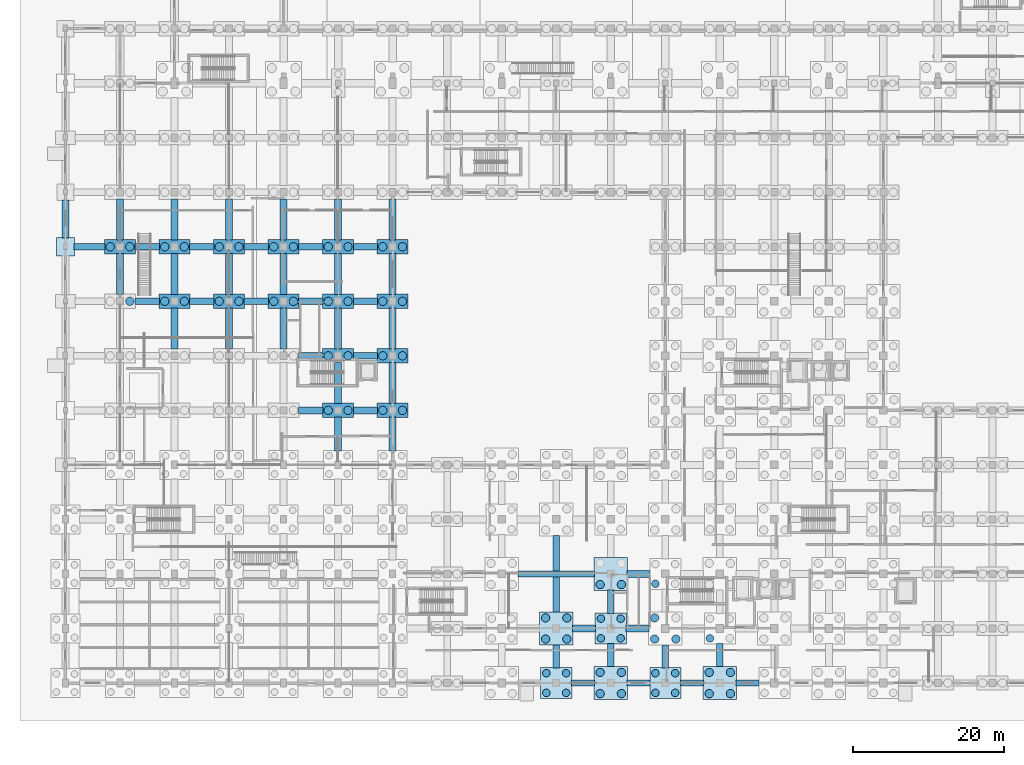
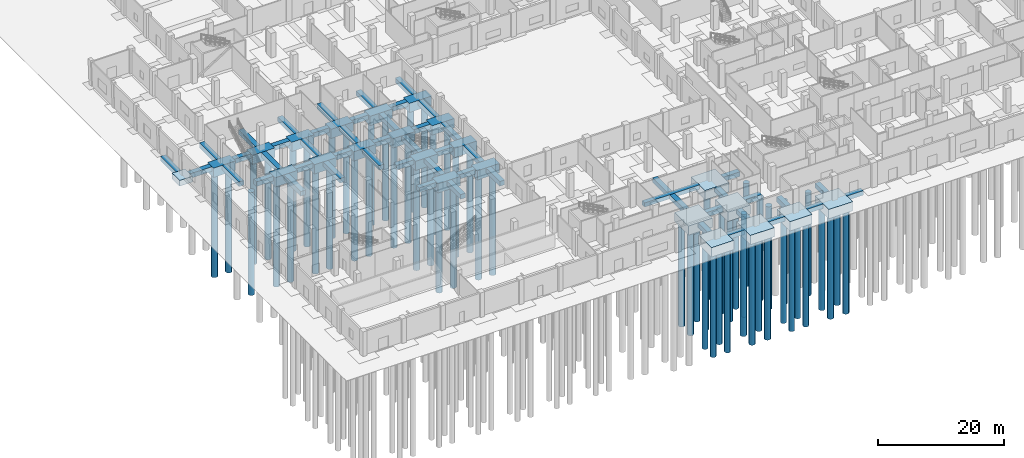
# One storey, part 3 of 48: 74 footings, 62 piles.
"""IFC4 building model written with IfcOpenShell, lengths in metres."""

import ifcopenshell
import ifcopenshell.guid

model = None  # the IFC model being written
_history = None  # IfcOwnerHistory: only IFC2X3 demands one
_inside = {}  # id of a spatial element -> (the spatial element, [elements in it])
_under = {}  # id of a project, library or spatial element -> (it, [spatial elements below it])
_declared = {}  # id of a project -> (the project, [libraries it declares])
_typed = {}  # id of a type object -> (the type object, [elements of that type])
_made_of = {}  # id of a material, layer set ... -> (it, [elements and type objects made of it])


def new_model(schema):
    """Start an empty IFC model of exactly this schema.

    Asked for "IFC4X3", IfcOpenShell would pick the latest addendum, in which some entities
    have other attributes; the version numbers below select the first issue.
    IFC2X3 requires an IfcOwnerHistory on every rooted entity: one is made here for all.
    """
    global model, _history
    if schema == "IFC4X3":
        model = ifcopenshell.file(schema_version=(4, 3, 0, 0))
    else:
        model = ifcopenshell.file(schema=schema)
    _inside.clear()
    _under.clear()
    _declared.clear()
    _typed.clear()
    _made_of.clear()
    _history = None
    if model.schema == "IFC2X3":
        org = make("IfcOrganization", Name="unknown")
        user = make(
            "IfcPersonAndOrganization",
            ThePerson=make("IfcPerson", FamilyName="unknown"),
            TheOrganization=org,
        )
        app = make(
            "IfcApplication",
            ApplicationDeveloper=org,
            Version="unknown",
            ApplicationFullName="unknown",
            ApplicationIdentifier="unknown",
        )
        _history = make(
            "IfcOwnerHistory",
            OwningUser=user,
            OwningApplication=app,
            ChangeAction="ADDED",
            CreationDate=0,
        )
    return model


def make(cls, **values):
    """One entity of the class cls with the attributes given. An attribute that is None is left unset."""
    return model.create_entity(
        cls, **{name: value for name, value in values.items() if value is not None}
    )


def rooted(cls, **values):
    """An entity with a GlobalId (a new one), such as an element, a storey or a relation."""
    return make(cls, GlobalId=ifcopenshell.guid.new(), OwnerHistory=_history, **values)


def si_unit(unit_type, name, prefix=None):
    """IfcSIUnit, for example si_unit("LENGTHUNIT", "METRE", prefix="MILLI")."""
    return make("IfcSIUnit", UnitType=unit_type, Prefix=prefix, Name=name)


def assignment(units):
    """IfcUnitAssignment: the units of a project."""
    return None if units is None else make("IfcUnitAssignment", Units=units)


def point(xyz):
    """IfcCartesianPoint."""
    return None if xyz is None else make("IfcCartesianPoint", Coordinates=xyz)


def direction(xyz):
    """IfcDirection."""
    return None if xyz is None else make("IfcDirection", DirectionRatios=xyz)


def frame(location, z_axis=None, x_axis=None):
    """IfcAxis2Placement3D, a coordinate frame: its origin and axes. An axis left out is left unset."""
    return make(
        "IfcAxis2Placement3D",
        Location=point(location),
        Axis=direction(z_axis),
        RefDirection=direction(x_axis),
    )


def frame_2d(location, x_axis=None):
    """IfcAxis2Placement2D, a coordinate frame in the plane: its origin and x axis."""
    return make(
        "IfcAxis2Placement2D", Location=point(location), RefDirection=direction(x_axis)
    )


def origin():
    """The frame at (0, 0, 0) with its axes left unset."""
    return frame((0.0, 0.0, 0.0))


def origin_2d():
    """The frame at (0, 0) in the plane with its x axis left unset."""
    return frame_2d((0.0, 0.0))


def place(relative_to, where):
    """IfcLocalPlacement: puts the frame where relative to a parent placement (None: the world)."""
    return make(
        "IfcLocalPlacement", PlacementRelTo=relative_to, RelativePlacement=where
    )


def context(
    kind, dimensions, precision=None, world=None, true_north=None, identifier=None
):
    """IfcGeometricRepresentationContext, for example the 3D "Model" context."""
    return make(
        "IfcGeometricRepresentationContext",
        ContextIdentifier=identifier,
        ContextType=kind,
        CoordinateSpaceDimension=dimensions,
        Precision=precision,
        WorldCoordinateSystem=world,
        TrueNorth=true_north,
    )


def subcontext(parent, identifier, kind, view, scale=None):
    """IfcGeometricRepresentationSubContext, for example "Body" below "Model"."""
    return make(
        "IfcGeometricRepresentationSubContext",
        ContextIdentifier=identifier,
        ContextType=kind,
        ParentContext=parent,
        TargetScale=scale,
        TargetView=view,
    )


def project(units=None, contexts=None):
    """IfcProject with its units and contexts."""
    return rooted(
        "IfcProject",
        Name="project",
        RepresentationContexts=contexts,
        UnitsInContext=assignment(units),
    )


def spatial(cls, under=None, at=None, **own):
    """A site, building, storey or space (cls), placed at a placement, below another one or the project."""
    s = rooted(cls, ObjectPlacement=at, **own)
    if under is not None:
        _under.setdefault(under.id(), (under, []))[1].append(s)
    return s


def profile(cls, at=None, kind="AREA", **sizes):
    """A parametric profile (cls). Its sizes go by their IFC names, for example OverallWidth=200.0."""
    return make(cls, ProfileType=kind, Position=at, **sizes)


def rectangle(**sizes):
    """IfcRectangleProfileDef."""
    return profile("IfcRectangleProfileDef", **sizes)


def circle(**sizes):
    """IfcCircleProfileDef."""
    return profile("IfcCircleProfileDef", **sizes)


def extrude(swept, where, along, depth):
    """IfcExtrudedAreaSolid: the profile swept, set in the frame where, extruded along a direction by depth."""
    return make(
        "IfcExtrudedAreaSolid",
        SweptArea=swept,
        Position=where,
        ExtrudedDirection=direction(along),
        Depth=depth,
    )


def shape(context_of_items, identifier, shape_type, items):
    """IfcShapeRepresentation: the items that make up one representation, for example the "Body"."""
    return make(
        "IfcShapeRepresentation",
        ContextOfItems=context_of_items,
        RepresentationIdentifier=identifier,
        RepresentationType=shape_type,
        Items=items,
    )


def material(Name=None, Category=None):
    """IfcMaterial."""
    return make("IfcMaterial", Name=Name, Category=Category)


def material_profile(
    of_material, cross_section, Name=None, Category=None, Priority=None
):
    """IfcMaterialProfile: a cross section and its material."""
    return make(
        "IfcMaterialProfile",
        Name=Name,
        Material=of_material,
        Profile=cross_section,
        Priority=Priority,
        Category=Category,
    )


def profile_set(profiles, Name=None, composite=None):
    """IfcMaterialProfileSet."""
    return make(
        "IfcMaterialProfileSet",
        Name=Name,
        MaterialProfiles=profiles,
        CompositeProfile=composite,
    )


def made_of(thing, what):
    """Note that an element or type object is made of a material, layer set ...; save() writes the relation."""
    if what is not None:
        _made_of.setdefault(what.id(), (what, []))[1].append(thing)
    return thing


def type_object(cls, material=None, **own):
    """A type object (cls), such as IfcWallType, which elements share."""
    return made_of(rooted(cls, **own), material)


def element(
    cls,
    number,
    at=None,
    inside=None,
    cuts=None,
    type_object=None,
    material=None,
    context=None,
    identifier="Body",
    shape_type=None,
    held_by="IfcProductDefinitionShape",
    body=None,
    shapes=None,
    **own,
):
    """One element of the class cls, such as IfcWall. Its Tag is "e" and its number.

    at: its placement. inside: the storey or other place that contains it. cuts: it is an
    opening in that element (IfcRelVoidsElement). A single representation is given by context,
    identifier, shape_type and body (its items); several are given by shapes. held_by: the class
    of the entity that holds the representations. save() writes the other relations.
    """
    e = rooted(cls, Tag="e%d" % number, ObjectPlacement=at, **own)
    if body is not None:
        shapes = [shape(context, identifier, shape_type, body)]
    if shapes is not None:
        e.Representation = make(held_by, Representations=shapes)
    if inside is not None:
        _inside.setdefault(inside.id(), (inside, []))[1].append(e)
    if cuts is not None:
        rooted(
            "IfcRelVoidsElement", RelatingBuildingElement=cuts, RelatedOpeningElement=e
        )
    if type_object is not None:
        _typed.setdefault(type_object.id(), (type_object, []))[1].append(e)
    return made_of(e, material)


def aggregate(whole, parts):
    """IfcRelAggregates: a whole, such as a stair, and the parts it consists of."""
    return rooted("IfcRelAggregates", RelatingObject=whole, RelatedObjects=parts)


def save(model, path):
    """Write the relations noted so far, then the file.

    IfcRelAggregates (storeys below a building ...), IfcRelContainedInSpatialStructure (elements
    in a storey), IfcRelDefinesByType, IfcRelAssociatesMaterial and IfcRelDeclares: one each for
    every whole, place, type object, material and project.
    """
    for whole, parts in _under.values():
        aggregate(whole, parts)
    for where, things in _inside.values():
        rooted(
            "IfcRelContainedInSpatialStructure",
            RelatedElements=things,
            RelatingStructure=where,
        )
    for kind, things in _typed.values():
        rooted("IfcRelDefinesByType", RelatedObjects=things, RelatingType=kind)
    for what, things in _made_of.values():
        rooted("IfcRelAssociatesMaterial", RelatedObjects=things, RelatingMaterial=what)
    for by, libraries in _declared.values():
        rooted("IfcRelDeclares", RelatingContext=by, RelatedDefinitions=libraries)
    model.write(path)


model = new_model("IFC4")

# Units and contexts
model_context = context("Model", 3, precision=1e-05, world=origin(), true_north=direction((0.0, 1.0)))
body_context = subcontext(model_context, "Body", "Model", "MODEL_VIEW")
ifc_project = project(units=[si_unit("LENGTHUNIT", "METRE"), si_unit("AREAUNIT", "SQUARE_METRE"), si_unit("VOLUMEUNIT", "CUBIC_METRE"), si_unit("PLANEANGLEUNIT", "RADIAN"), si_unit("MASSUNIT", "GRAM", prefix="KILO")], contexts=[model_context])

# Site, building, storey
site_placement = place(None, origin())
site = spatial("IfcSite", under=ifc_project, at=site_placement, CompositionType="ELEMENT")
building_placement = place(site_placement, origin())
building = spatial("IfcBuilding", under=site, at=building_placement, Name="Seraya Terrace Polytechnic", CompositionType="ELEMENT")
storey_placement = place(building_placement, origin())
storey = spatial("IfcBuildingStorey", under=building, at=storey_placement, Name="L00", CompositionType="ELEMENT", Elevation=0.0)

# Piles
ifc_material = material(Name="Concrete C40/50", Category="concrete")
ifc_material_profile_1 = material_profile(ifc_material, circle(Radius=0.5, at=origin_2d()), Name="DIA 1000")
ifc_profile_set_1 = profile_set([ifc_material_profile_1], Name="Concrete C40/50")
pile_type_1 = type_object("IfcPileType", Name="BP-03", PredefinedType="BORED", material=ifc_profile_set_1)
for number, where, z_axis, x_axis, name in (
    (1, (63.5, -1.300048828125, -1.699951171875), (0.0, 0.0, -1.0), (1.0, 0.0, 0.0), "Bored pile BP-03 0648_0000-1"),
    (2, (66.10009765625, -1.300048828125, -1.699951171875), (0.0, 0.0, -1.0), (1.0, 0.0, 0.0), "Bored pile BP-03 0648_0000-2"),
    (3, (63.5, 1.300048828125, -1.699951171875), (0.0, 0.0, -1.0), (1.0, 0.0, 0.0), "Bored pile BP-03 0648_0000-3"),
    (4, (66.10009765625, 1.300048828125, -1.699951171875), (0.0, 0.0, -1.0), (1.0, 0.0, 0.0), "Bored pile BP-03 0648_0000-4"),
    (5, (70.699951171875, 5.89990234375, -1.699951171875), (0.0, 0.0, -1.0), (1.0, 0.0, 0.0), "Bored pile BP-03 0720_0072-1"),
    (6, (73.300048828125, 5.89990234375, -1.699951171875), (0.0, 0.0, -1.0), (1.0, 0.0, 0.0), "Bored pile BP-03 0720_0072-2"),
    (7, (70.699951171875, 8.5, -1.699951171875), (0.0, 0.0, -1.0), (1.0, 0.0, 0.0), "Bored pile BP-03 0720_0072-3"),
    (8, (73.300048828125, 8.5, -1.699951171875), (0.0, 0.0, -1.0), (1.0, 0.0, 0.0), "Bored pile BP-03 0720_0072-4"),
    (9, (77.89990234375, -1.300048828125, -1.699951171875), (0.0, 0.0, -1.0), (1.0, 0.0, 0.0), "Bored pile BP-03 0792_0000-1"),
    (10, (80.5, -1.300048828125, -1.699951171875), (0.0, 0.0, -1.0), (1.0, 0.0, 0.0), "Bored pile BP-03 0792_0000-2"),
    (11, (77.89990234375, 1.300048828125, -1.699951171875), (0.0, 0.0, -1.0), (1.0, 0.0, 0.0), "Bored pile BP-03 0792_0000-3"),
    (12, (80.5, 1.300048828125, -1.699951171875), (0.0, 0.0, -1.0), (1.0, 0.0, 0.0), "Bored pile BP-03 0792_0000-4"),
    (13, (77.89990234375, 13.10009765625, -1.699951171875), (0.0, 0.0, -1.0), (1.0, 0.0, 0.0), "Bored pile BP-03 0792_0144-1"),
    (14, (85.10009765625, 5.89990234375, -1.699951171875), (0.0, 0.0, -1.0), (1.0, 0.0, 0.0), "Bored pile BP-03 0864_0072-1"),
):
    element("IfcPile", number, at=place(storey_placement, frame(where, z_axis=z_axis, x_axis=x_axis)), inside=storey, type_object=pile_type_1, Name=name, PredefinedType="BORED", context=body_context, shape_type="SweptSolid", body=[
        extrude(circle(Radius=0.5, at=origin_2d()), origin(), (0.0, 0.0, 1.0), 20.0),
    ])
ifc_material_profile_2 = material_profile(ifc_material, circle(Radius=0.550048828125, at=origin_2d()), Name="DIA 1100")
ifc_profile_set_2 = profile_set([ifc_material_profile_2], Name="Concrete C40/50")
pile_type_2 = type_object("IfcPileType", Name="BP-04", PredefinedType="BORED", material=ifc_profile_set_2)
for number, where, z_axis, x_axis, name in (
    (15, (8.5, 50.39990234375, -1.699951171875), (0.0, 0.0, -1.0), (1.0, 0.0, 0.0), "Bored pile BP-04 0072_0504-2"),
    (16, (5.89990234375, 57.60009765625, -1.699951171875), (0.0, 0.0, -1.0), (1.0, 0.0, 0.0), "Bored pile BP-04 0072_0576-1"),
    (17, (8.5, 57.60009765625, -1.699951171875), (0.0, 0.0, -1.0), (1.0, 0.0, 0.0), "Bored pile BP-04 0072_0576-2"),
    (18, (13.10009765625, 50.39990234375, -1.699951171875), (0.0, 0.0, -1.0), (1.0, 0.0, 0.0), "Bored pile BP-04 0144_0504-1"),
    (19, (15.699951171875, 50.39990234375, -1.699951171875), (0.0, 0.0, -1.0), (1.0, 0.0, 0.0), "Bored pile BP-04 0144_0504-2"),
    (20, (13.10009765625, 57.60009765625, -1.699951171875), (0.0, 0.0, -1.0), (1.0, 0.0, 0.0), "Bored pile BP-04 0144_0576-1"),
    (21, (15.699951171875, 57.60009765625, -1.699951171875), (0.0, 0.0, -1.0), (1.0, 0.0, 0.0), "Bored pile BP-04 0144_0576-2"),
    (22, (20.300048828125, 50.39990234375, -1.699951171875), (0.0, 0.0, -1.0), (1.0, 0.0, 0.0), "Bored pile BP-04 0216_0504-1"),
    (23, (22.89990234375, 50.39990234375, -1.699951171875), (0.0, 0.0, -1.0), (1.0, 0.0, 0.0), "Bored pile BP-04 0216_0504-2"),
    (24, (20.300048828125, 57.60009765625, -1.699951171875), (0.0, 0.0, -1.0), (1.0, 0.0, 0.0), "Bored pile BP-04 0216_0576-1"),
    (25, (22.89990234375, 57.60009765625, -1.699951171875), (0.0, 0.0, -1.0), (1.0, 0.0, 0.0), "Bored pile BP-04 0216_0576-2"),
    (26, (27.5, 50.39990234375, -1.699951171875), (0.0, 0.0, -1.0), (1.0, 0.0, 0.0), "Bored pile BP-04 0288_0504-1"),
    (27, (30.10009765625, 50.39990234375, -1.699951171875), (0.0, 0.0, -1.0), (1.0, 0.0, 0.0), "Bored pile BP-04 0288_0504-2"),
    (28, (27.5, 57.60009765625, -1.699951171875), (0.0, 0.0, -1.0), (1.0, 0.0, 0.0), "Bored pile BP-04 0288_0576-1"),
    (29, (30.10009765625, 57.60009765625, -1.699951171875), (0.0, 0.0, -1.0), (1.0, 0.0, 0.0), "Bored pile BP-04 0288_0576-2"),
    (30, (34.699951171875, 36.0, -1.699951171875), (0.0, 0.0, -1.0), (1.0, 0.0, 0.0), "Bored pile BP-04 0360_0360-1"),
    (31, (37.300048828125, 36.0, -1.699951171875), (0.0, 0.0, -1.0), (1.0, 0.0, 0.0), "Bored pile BP-04 0360_0360-2"),
    (32, (34.699951171875, 43.199951171875, -1.699951171875), (0.0, 0.0, -1.0), (1.0, 0.0, 0.0), "Bored pile BP-04 0360_0432-1"),
    (33, (37.300048828125, 43.199951171875, -1.699951171875), (0.0, 0.0, -1.0), (1.0, 0.0, 0.0), "Bored pile BP-04 0360_0432-2"),
    (34, (34.699951171875, 50.39990234375, -1.699951171875), (0.0, 0.0, -1.0), (1.0, 0.0, 0.0), "Bored pile BP-04 0360_0504-1"),
    (35, (37.300048828125, 50.39990234375, -1.699951171875), (0.0, 0.0, -1.0), (1.0, 0.0, 0.0), "Bored pile BP-04 0360_0504-2"),
    (36, (34.699951171875, 57.60009765625, -1.699951171875), (0.0, 0.0, -1.0), (1.0, 0.0, 0.0), "Bored pile BP-04 0360_0576-1"),
    (37, (37.300048828125, 57.60009765625, -1.699951171875), (0.0, 0.0, -1.0), (1.0, 0.0, 0.0), "Bored pile BP-04 0360_0576-2"),
    (38, (41.89990234375, 36.0, -1.699951171875), (0.0, 0.0, -1.0), (1.0, 0.0, 0.0), "Bored pile BP-04 0432_0360-1"),
    (39, (44.5, 36.0, -1.699951171875), (0.0, 0.0, -1.0), (1.0, 0.0, 0.0), "Bored pile BP-04 0432_0360-2"),
    (40, (41.89990234375, 43.199951171875, -1.699951171875), (0.0, 0.0, -1.0), (1.0, 0.0, 0.0), "Bored pile BP-04 0432_0432-1"),
    (41, (44.5, 43.199951171875, -1.699951171875), (0.0, 0.0, -1.0), (1.0, 0.0, 0.0), "Bored pile BP-04 0432_0432-2"),
    (42, (41.89990234375, 50.39990234375, -1.699951171875), (0.0, 0.0, -1.0), (1.0, 0.0, 0.0), "Bored pile BP-04 0432_0504-1"),
    (43, (44.5, 50.39990234375, -1.699951171875), (0.0, 0.0, -1.0), (1.0, 0.0, 0.0), "Bored pile BP-04 0432_0504-2"),
    (44, (41.89990234375, 57.60009765625, -1.699951171875), (0.0, 0.0, -1.0), (1.0, 0.0, 0.0), "Bored pile BP-04 0432_0576-1"),
    (45, (44.5, 57.60009765625, -1.699951171875), (0.0, 0.0, -1.0), (1.0, 0.0, 0.0), "Bored pile BP-04 0432_0576-2"),
    (46, (63.39990234375, 5.800048828125, -1.699951171875), (0.0, 0.0, -1.0), (1.0, 0.0, 0.0), "Bored pile BP-04 0648_0072-1"),
    (47, (66.199951171875, 5.800048828125, -1.699951171875), (0.0, 0.0, -1.0), (1.0, 0.0, 0.0), "Bored pile BP-04 0648_0072-2"),
    (48, (63.39990234375, 8.60009765625, -1.699951171875), (0.0, 0.0, -1.0), (1.0, 0.0, 0.0), "Bored pile BP-04 0648_0072-3"),
    (49, (66.199951171875, 8.60009765625, -1.699951171875), (0.0, 0.0, -1.0), (1.0, 0.0, 0.0), "Bored pile BP-04 0648_0072-4"),
    (50, (70.60009765625, -1.39990234375, -1.699951171875), (0.0, 0.0, -1.0), (1.0, 0.0, 0.0), "Bored pile BP-04 0720_0000-1"),
    (51, (73.39990234375, -1.39990234375, -1.699951171875), (0.0, 0.0, -1.0), (1.0, 0.0, 0.0), "Bored pile BP-04 0720_0000-2"),
    (52, (70.60009765625, 1.39990234375, -1.699951171875), (0.0, 0.0, -1.0), (1.0, 0.0, 0.0), "Bored pile BP-04 0720_0000-3"),
    (53, (73.39990234375, 1.39990234375, -1.699951171875), (0.0, 0.0, -1.0), (1.0, 0.0, 0.0), "Bored pile BP-04 0720_0000-4"),
    (54, (70.60009765625, 13.0, -1.699951171875), (0.0, 0.0, -1.0), (1.0, 0.0, 0.0), "Bored pile BP-04 0720_0144-1"),
    (55, (73.39990234375, 13.0, -1.699951171875), (0.0, 0.0, -1.0), (1.0, 0.0, 0.0), "Bored pile BP-04 0720_0144-2"),
    (56, (77.800048828125, 5.800048828125, -1.699951171875), (0.0, 0.0, -1.0), (1.0, 0.0, 0.0), "Bored pile BP-04 0792_0072-1"),
    (57, (80.60009765625, 5.800048828125, -1.699951171875), (0.0, 0.0, -1.0), (1.0, 0.0, 0.0), "Bored pile BP-04 0792_0072-2"),
    (58, (77.800048828125, 8.60009765625, -1.699951171875), (0.0, 0.0, -1.0), (1.0, 0.0, 0.0), "Bored pile BP-04 0792_0072-3"),
    (59, (85.0, -1.39990234375, -1.699951171875), (0.0, 0.0, -1.0), (1.0, 0.0, 0.0), "Bored pile BP-04 0864_0000-1"),
    (60, (87.800048828125, -1.39990234375, -1.699951171875), (0.0, 0.0, -1.0), (1.0, 0.0, 0.0), "Bored pile BP-04 0864_0000-2"),
    (61, (85.0, 1.39990234375, -1.699951171875), (0.0, 0.0, -1.0), (1.0, 0.0, 0.0), "Bored pile BP-04 0864_0000-3"),
    (62, (87.800048828125, 1.39990234375, -1.699951171875), (0.0, 0.0, -1.0), (1.0, 0.0, 0.0), "Bored pile BP-04 0864_0000-4"),
):
    element("IfcPile", number, at=place(storey_placement, frame(where, z_axis=z_axis, x_axis=x_axis)), inside=storey, type_object=pile_type_2, Name=name, PredefinedType="BORED", context=body_context, shape_type="SweptSolid", body=[
        extrude(circle(Radius=0.550048828125, at=origin_2d()), origin(), (0.0, 0.0, 1.0), 20.0),
    ])

# Footings
footing_type_1 = type_object("IfcFootingType", Name="FB-01", PredefinedType="FOOTING_BEAM", material=ifc_material)
footing_1_placement = place(storey_placement, frame((3.175048828125, 57.60009765625, -0.89990234375), z_axis=(0.0, 0.0, 1.0), x_axis=(1.0, 0.0, 0.0)))
element("IfcFooting", 63, at=footing_1_placement, inside=storey, type_object=footing_type_1, Name="Foundation tie beam FB-01 X", PredefinedType="FOOTING_BEAM", context=body_context, shape_type="SweptSolid", body=[
    extrude(rectangle(XDim=4.050048828125, YDim=0.89990234375, at=origin_2d()), origin(), (0.0, 0.0, 1.0), 0.89990234375),
])
footing_2_placement = place(storey_placement, frame((0.0, 61.25, -0.89990234375), z_axis=(0.0, 0.0, 1.0), x_axis=(0.0, 1.0, 0.0)))
element("IfcFooting", 64, at=footing_2_placement, inside=storey, type_object=footing_type_1, Name="Foundation tie beam FB-01 Y", PredefinedType="FOOTING_BEAM", context=body_context, shape_type="SweptSolid", body=[
    extrude(rectangle(XDim=5.0, YDim=0.89990234375, at=origin_2d()), origin(), (0.0, 0.0, 1.0), 0.89990234375),
])
footing_3_placement = place(storey_placement, frame((10.800048828125, 50.39990234375, -0.89990234375), z_axis=(0.0, 0.0, 1.0), x_axis=(1.0, 0.0, 0.0)))
element("IfcFooting", 65, at=footing_3_placement, inside=storey, type_object=footing_type_1, Name="Foundation tie beam FB-01 X", PredefinedType="FOOTING_BEAM", context=body_context, shape_type="SweptSolid", body=[
    extrude(rectangle(XDim=3.199951171875, YDim=0.89990234375, at=origin_2d()), origin(), (0.0, 0.0, 1.0), 0.89990234375),
])
footing_4_placement = place(storey_placement, frame((7.199951171875, 54.0, -0.89990234375), z_axis=(0.0, 0.0, 1.0), x_axis=(0.0, 1.0, 0.0)))
element("IfcFooting", 66, at=footing_4_placement, inside=storey, type_object=footing_type_1, Name="Foundation tie beam FB-01 Y", PredefinedType="FOOTING_BEAM", context=body_context, shape_type="SweptSolid", body=[
    extrude(rectangle(XDim=5.39990234375, YDim=0.89990234375, at=origin_2d()), origin(), (0.0, 0.0, 1.0), 0.89990234375),
])
footing_5_placement = place(storey_placement, frame((10.800048828125, 57.60009765625, -0.89990234375), z_axis=(0.0, 0.0, 1.0), x_axis=(1.0, 0.0, 0.0)))
element("IfcFooting", 67, at=footing_5_placement, inside=storey, type_object=footing_type_1, Name="Foundation tie beam FB-01 X", PredefinedType="FOOTING_BEAM", context=body_context, shape_type="SweptSolid", body=[
    extrude(rectangle(XDim=3.199951171875, YDim=0.89990234375, at=origin_2d()), origin(), (0.0, 0.0, 1.0), 0.89990234375),
])
for number, where, z_axis, x_axis, name in (
    (68, (7.199951171875, 61.199951171875, -0.89990234375), (0.0, 0.0, 1.0), (0.0, 1.0, 0.0), "Foundation tie beam FB-01 Y"),
    (69, (14.39990234375, 46.800048828125, -0.89990234375), (0.0, 0.0, 1.0), (0.0, 1.0, 0.0), "Foundation tie beam FB-01 Y"),
):
    element("IfcFooting", number, at=place(storey_placement, frame(where, z_axis=z_axis, x_axis=x_axis)), inside=storey, type_object=footing_type_1, Name=name, PredefinedType="FOOTING_BEAM", context=body_context, shape_type="SweptSolid", body=[
        extrude(rectangle(XDim=5.39990234375, YDim=0.89990234375, at=origin_2d()), origin(), (0.0, 0.0, 1.0), 0.89990234375),
    ])
footing_6_placement = place(storey_placement, frame((18.0, 50.39990234375, -0.89990234375), z_axis=(0.0, 0.0, 1.0), x_axis=(1.0, 0.0, 0.0)))
element("IfcFooting", 70, at=footing_6_placement, inside=storey, type_object=footing_type_1, Name="Foundation tie beam FB-01 X", PredefinedType="FOOTING_BEAM", context=body_context, shape_type="SweptSolid", body=[
    extrude(rectangle(XDim=3.199951171875, YDim=0.89990234375, at=origin_2d()), origin(), (0.0, 0.0, 1.0), 0.89990234375),
])
footing_7_placement = place(storey_placement, frame((14.39990234375, 54.0, -0.89990234375), z_axis=(0.0, 0.0, 1.0), x_axis=(0.0, 1.0, 0.0)))
element("IfcFooting", 71, at=footing_7_placement, inside=storey, type_object=footing_type_1, Name="Foundation tie beam FB-01 Y", PredefinedType="FOOTING_BEAM", context=body_context, shape_type="SweptSolid", body=[
    extrude(rectangle(XDim=5.39990234375, YDim=0.89990234375, at=origin_2d()), origin(), (0.0, 0.0, 1.0), 0.89990234375),
])
footing_8_placement = place(storey_placement, frame((18.0, 57.60009765625, -0.89990234375), z_axis=(0.0, 0.0, 1.0), x_axis=(1.0, 0.0, 0.0)))
element("IfcFooting", 72, at=footing_8_placement, inside=storey, type_object=footing_type_1, Name="Foundation tie beam FB-01 X", PredefinedType="FOOTING_BEAM", context=body_context, shape_type="SweptSolid", body=[
    extrude(rectangle(XDim=3.199951171875, YDim=0.89990234375, at=origin_2d()), origin(), (0.0, 0.0, 1.0), 0.89990234375),
])
for number, where, z_axis, x_axis, name in (
    (73, (14.39990234375, 61.199951171875, -0.89990234375), (0.0, 0.0, 1.0), (0.0, 1.0, 0.0), "Foundation tie beam FB-01 Y"),
    (74, (21.60009765625, 46.800048828125, -0.89990234375), (0.0, 0.0, 1.0), (0.0, 1.0, 0.0), "Foundation tie beam FB-01 Y"),
):
    element("IfcFooting", number, at=place(storey_placement, frame(where, z_axis=z_axis, x_axis=x_axis)), inside=storey, type_object=footing_type_1, Name=name, PredefinedType="FOOTING_BEAM", context=body_context, shape_type="SweptSolid", body=[
        extrude(rectangle(XDim=5.39990234375, YDim=0.89990234375, at=origin_2d()), origin(), (0.0, 0.0, 1.0), 0.89990234375),
    ])
footing_9_placement = place(storey_placement, frame((25.199951171875, 50.39990234375, -0.89990234375), z_axis=(0.0, 0.0, 1.0), x_axis=(1.0, 0.0, 0.0)))
element("IfcFooting", 75, at=footing_9_placement, inside=storey, type_object=footing_type_1, Name="Foundation tie beam FB-01 X", PredefinedType="FOOTING_BEAM", context=body_context, shape_type="SweptSolid", body=[
    extrude(rectangle(XDim=3.199951171875, YDim=0.89990234375, at=origin_2d()), origin(), (0.0, 0.0, 1.0), 0.89990234375),
])
footing_10_placement = place(storey_placement, frame((21.60009765625, 54.0, -0.89990234375), z_axis=(0.0, 0.0, 1.0), x_axis=(0.0, 1.0, 0.0)))
element("IfcFooting", 76, at=footing_10_placement, inside=storey, type_object=footing_type_1, Name="Foundation tie beam FB-01 Y", PredefinedType="FOOTING_BEAM", context=body_context, shape_type="SweptSolid", body=[
    extrude(rectangle(XDim=5.39990234375, YDim=0.89990234375, at=origin_2d()), origin(), (0.0, 0.0, 1.0), 0.89990234375),
])
footing_11_placement = place(storey_placement, frame((25.199951171875, 57.60009765625, -0.89990234375), z_axis=(0.0, 0.0, 1.0), x_axis=(1.0, 0.0, 0.0)))
element("IfcFooting", 77, at=footing_11_placement, inside=storey, type_object=footing_type_1, Name="Foundation tie beam FB-01 X", PredefinedType="FOOTING_BEAM", context=body_context, shape_type="SweptSolid", body=[
    extrude(rectangle(XDim=3.199951171875, YDim=0.89990234375, at=origin_2d()), origin(), (0.0, 0.0, 1.0), 0.89990234375),
])
footing_12_placement = place(storey_placement, frame((21.60009765625, 61.199951171875, -0.89990234375), z_axis=(0.0, 0.0, 1.0), x_axis=(0.0, 1.0, 0.0)))
element("IfcFooting", 78, at=footing_12_placement, inside=storey, type_object=footing_type_1, Name="Foundation tie beam FB-01 Y", PredefinedType="FOOTING_BEAM", context=body_context, shape_type="SweptSolid", body=[
    extrude(rectangle(XDim=5.39990234375, YDim=0.89990234375, at=origin_2d()), origin(), (0.0, 0.0, 1.0), 0.89990234375),
])
for number, where, z_axis, x_axis, name in (
    (79, (32.39990234375, 36.0, -0.89990234375), (0.0, 0.0, 1.0), (1.0, 0.0, 0.0), "Foundation tie beam FB-01 X"),
    (80, (32.39990234375, 43.199951171875, -0.89990234375), (0.0, 0.0, 1.0), (1.0, 0.0, 0.0), "Foundation tie beam FB-01 X"),
):
    element("IfcFooting", number, at=place(storey_placement, frame(where, z_axis=z_axis, x_axis=x_axis)), inside=storey, type_object=footing_type_1, Name=name, PredefinedType="FOOTING_BEAM", context=body_context, shape_type="SweptSolid", body=[
        extrude(rectangle(XDim=3.199951171875, YDim=0.89990234375, at=origin_2d()), origin(), (0.0, 0.0, 1.0), 0.89990234375),
    ])
footing_13_placement = place(storey_placement, frame((28.800048828125, 46.800048828125, -0.89990234375), z_axis=(0.0, 0.0, 1.0), x_axis=(0.0, 1.0, 0.0)))
element("IfcFooting", 81, at=footing_13_placement, inside=storey, type_object=footing_type_1, Name="Foundation tie beam FB-01 Y", PredefinedType="FOOTING_BEAM", context=body_context, shape_type="SweptSolid", body=[
    extrude(rectangle(XDim=5.39990234375, YDim=0.89990234375, at=origin_2d()), origin(), (0.0, 0.0, 1.0), 0.89990234375),
])
footing_14_placement = place(storey_placement, frame((32.39990234375, 50.39990234375, -0.89990234375), z_axis=(0.0, 0.0, 1.0), x_axis=(1.0, 0.0, 0.0)))
element("IfcFooting", 82, at=footing_14_placement, inside=storey, type_object=footing_type_1, Name="Foundation tie beam FB-01 X", PredefinedType="FOOTING_BEAM", context=body_context, shape_type="SweptSolid", body=[
    extrude(rectangle(XDim=3.199951171875, YDim=0.89990234375, at=origin_2d()), origin(), (0.0, 0.0, 1.0), 0.89990234375),
])
footing_15_placement = place(storey_placement, frame((28.800048828125, 54.0, -0.89990234375), z_axis=(0.0, 0.0, 1.0), x_axis=(0.0, 1.0, 0.0)))
element("IfcFooting", 83, at=footing_15_placement, inside=storey, type_object=footing_type_1, Name="Foundation tie beam FB-01 Y", PredefinedType="FOOTING_BEAM", context=body_context, shape_type="SweptSolid", body=[
    extrude(rectangle(XDim=5.39990234375, YDim=0.89990234375, at=origin_2d()), origin(), (0.0, 0.0, 1.0), 0.89990234375),
])
footing_16_placement = place(storey_placement, frame((32.39990234375, 57.60009765625, -0.89990234375), z_axis=(0.0, 0.0, 1.0), x_axis=(1.0, 0.0, 0.0)))
element("IfcFooting", 84, at=footing_16_placement, inside=storey, type_object=footing_type_1, Name="Foundation tie beam FB-01 X", PredefinedType="FOOTING_BEAM", context=body_context, shape_type="SweptSolid", body=[
    extrude(rectangle(XDim=3.199951171875, YDim=0.89990234375, at=origin_2d()), origin(), (0.0, 0.0, 1.0), 0.89990234375),
])
footing_17_placement = place(storey_placement, frame((28.800048828125, 61.199951171875, -0.89990234375), z_axis=(0.0, 0.0, 1.0), x_axis=(0.0, 1.0, 0.0)))
element("IfcFooting", 85, at=footing_17_placement, inside=storey, type_object=footing_type_1, Name="Foundation tie beam FB-01 Y", PredefinedType="FOOTING_BEAM", context=body_context, shape_type="SweptSolid", body=[
    extrude(rectangle(XDim=5.39990234375, YDim=0.89990234375, at=origin_2d()), origin(), (0.0, 0.0, 1.0), 0.89990234375),
])
footing_18_placement = place(storey_placement, frame((36.0, 32.875, -0.89990234375), z_axis=(0.0, 0.0, 1.0), x_axis=(0.0, 1.0, 0.0)))
element("IfcFooting", 86, at=footing_18_placement, inside=storey, type_object=footing_type_1, Name="Foundation tie beam FB-01 Y", PredefinedType="FOOTING_BEAM", context=body_context, shape_type="SweptSolid", body=[
    extrude(rectangle(XDim=4.449951171875, YDim=0.89990234375, at=origin_2d()), origin(), (0.0, 0.0, 1.0), 0.89990234375),
])
footing_19_placement = place(storey_placement, frame((39.60009765625, 36.0, -0.89990234375), z_axis=(0.0, 0.0, 1.0), x_axis=(1.0, 0.0, 0.0)))
element("IfcFooting", 87, at=footing_19_placement, inside=storey, type_object=footing_type_1, Name="Foundation tie beam FB-01 X", PredefinedType="FOOTING_BEAM", context=body_context, shape_type="SweptSolid", body=[
    extrude(rectangle(XDim=3.199951171875, YDim=0.89990234375, at=origin_2d()), origin(), (0.0, 0.0, 1.0), 0.89990234375),
])
footing_20_placement = place(storey_placement, frame((36.0, 39.60009765625, -0.89990234375), z_axis=(0.0, 0.0, 1.0), x_axis=(0.0, 1.0, 0.0)))
element("IfcFooting", 88, at=footing_20_placement, inside=storey, type_object=footing_type_1, Name="Foundation tie beam FB-01 Y", PredefinedType="FOOTING_BEAM", context=body_context, shape_type="SweptSolid", body=[
    extrude(rectangle(XDim=5.39990234375, YDim=0.89990234375, at=origin_2d()), origin(), (0.0, 0.0, 1.0), 0.89990234375),
])
footing_21_placement = place(storey_placement, frame((39.60009765625, 43.199951171875, -0.89990234375), z_axis=(0.0, 0.0, 1.0), x_axis=(1.0, 0.0, 0.0)))
element("IfcFooting", 89, at=footing_21_placement, inside=storey, type_object=footing_type_1, Name="Foundation tie beam FB-01 X", PredefinedType="FOOTING_BEAM", context=body_context, shape_type="SweptSolid", body=[
    extrude(rectangle(XDim=3.199951171875, YDim=0.89990234375, at=origin_2d()), origin(), (0.0, 0.0, 1.0), 0.89990234375),
])
footing_22_placement = place(storey_placement, frame((36.0, 46.800048828125, -0.89990234375), z_axis=(0.0, 0.0, 1.0), x_axis=(0.0, 1.0, 0.0)))
element("IfcFooting", 90, at=footing_22_placement, inside=storey, type_object=footing_type_1, Name="Foundation tie beam FB-01 Y", PredefinedType="FOOTING_BEAM", context=body_context, shape_type="SweptSolid", body=[
    extrude(rectangle(XDim=5.39990234375, YDim=0.89990234375, at=origin_2d()), origin(), (0.0, 0.0, 1.0), 0.89990234375),
])
footing_23_placement = place(storey_placement, frame((39.60009765625, 50.39990234375, -0.89990234375), z_axis=(0.0, 0.0, 1.0), x_axis=(1.0, 0.0, 0.0)))
element("IfcFooting", 91, at=footing_23_placement, inside=storey, type_object=footing_type_1, Name="Foundation tie beam FB-01 X", PredefinedType="FOOTING_BEAM", context=body_context, shape_type="SweptSolid", body=[
    extrude(rectangle(XDim=3.199951171875, YDim=0.89990234375, at=origin_2d()), origin(), (0.0, 0.0, 1.0), 0.89990234375),
])
footing_24_placement = place(storey_placement, frame((36.0, 54.0, -0.89990234375), z_axis=(0.0, 0.0, 1.0), x_axis=(0.0, 1.0, 0.0)))
element("IfcFooting", 92, at=footing_24_placement, inside=storey, type_object=footing_type_1, Name="Foundation tie beam FB-01 Y", PredefinedType="FOOTING_BEAM", context=body_context, shape_type="SweptSolid", body=[
    extrude(rectangle(XDim=5.39990234375, YDim=0.89990234375, at=origin_2d()), origin(), (0.0, 0.0, 1.0), 0.89990234375),
])
footing_25_placement = place(storey_placement, frame((39.60009765625, 57.60009765625, -0.89990234375), z_axis=(0.0, 0.0, 1.0), x_axis=(1.0, 0.0, 0.0)))
element("IfcFooting", 93, at=footing_25_placement, inside=storey, type_object=footing_type_1, Name="Foundation tie beam FB-01 X", PredefinedType="FOOTING_BEAM", context=body_context, shape_type="SweptSolid", body=[
    extrude(rectangle(XDim=3.199951171875, YDim=0.89990234375, at=origin_2d()), origin(), (0.0, 0.0, 1.0), 0.89990234375),
])
footing_26_placement = place(storey_placement, frame((36.0, 61.199951171875, -0.89990234375), z_axis=(0.0, 0.0, 1.0), x_axis=(0.0, 1.0, 0.0)))
element("IfcFooting", 94, at=footing_26_placement, inside=storey, type_object=footing_type_1, Name="Foundation tie beam FB-01 Y", PredefinedType="FOOTING_BEAM", context=body_context, shape_type="SweptSolid", body=[
    extrude(rectangle(XDim=5.39990234375, YDim=0.89990234375, at=origin_2d()), origin(), (0.0, 0.0, 1.0), 0.89990234375),
])
footing_27_placement = place(storey_placement, frame((43.199951171875, 32.875, -0.89990234375), z_axis=(0.0, 0.0, 1.0), x_axis=(0.0, 1.0, 0.0)))
element("IfcFooting", 95, at=footing_27_placement, inside=storey, type_object=footing_type_1, Name="Foundation tie beam FB-01 Y", PredefinedType="FOOTING_BEAM", context=body_context, shape_type="SweptSolid", body=[
    extrude(rectangle(XDim=4.449951171875, YDim=0.89990234375, at=origin_2d()), origin(), (0.0, 0.0, 1.0), 0.89990234375),
])
for number, where, z_axis, x_axis, name in (
    (96, (43.199951171875, 39.60009765625, -0.89990234375), (0.0, 0.0, 1.0), (0.0, 1.0, 0.0), "Foundation tie beam FB-01 Y"),
    (97, (43.199951171875, 46.800048828125, -0.89990234375), (0.0, 0.0, 1.0), (0.0, 1.0, 0.0), "Foundation tie beam FB-01 Y"),
    (98, (43.199951171875, 54.0, -0.89990234375), (0.0, 0.0, 1.0), (0.0, 1.0, 0.0), "Foundation tie beam FB-01 Y"),
    (99, (43.199951171875, 61.199951171875, -0.89990234375), (0.0, 0.0, 1.0), (0.0, 1.0, 0.0), "Foundation tie beam FB-01 Y"),
):
    element("IfcFooting", number, at=place(storey_placement, frame(where, z_axis=z_axis, x_axis=x_axis)), inside=storey, type_object=footing_type_1, Name=name, PredefinedType="FOOTING_BEAM", context=body_context, shape_type="SweptSolid", body=[
        extrude(rectangle(XDim=5.39990234375, YDim=0.89990234375, at=origin_2d()), origin(), (0.0, 0.0, 1.0), 0.89990234375),
    ])
for number, where, z_axis, x_axis, name in (
    (100, (64.800048828125, 3.52490234375, -0.89990234375), (0.0, 0.0, 1.0), (0.0, 1.0, 0.0), "Foundation tie beam FB-01 Y"),
    (101, (68.47509765625, 7.199951171875, -0.89990234375), (0.0, 0.0, 1.0), (1.0, 0.0, 0.0), "Foundation tie beam FB-01 X"),
):
    element("IfcFooting", number, at=place(storey_placement, frame(where, z_axis=z_axis, x_axis=x_axis)), inside=storey, type_object=footing_type_1, Name=name, PredefinedType="FOOTING_BEAM", context=body_context, shape_type="SweptSolid", body=[
        extrude(rectangle(XDim=3.050048828125, YDim=0.89990234375, at=origin_2d()), origin(), (0.0, 0.0, 1.0), 0.89990234375),
    ])
footing_28_placement = place(storey_placement, frame((64.800048828125, 14.39990234375, -0.89990234375), z_axis=(0.0, 0.0, 1.0), x_axis=(0.0, 1.0, 0.0)))
element("IfcFooting", 102, at=footing_28_placement, inside=storey, type_object=footing_type_1, Name="Foundation tie beam FB-01 Y", PredefinedType="FOOTING_BEAM", context=body_context, shape_type="SweptSolid", body=[
    extrude(rectangle(XDim=10.10009765625, YDim=0.89990234375, at=origin_2d()), origin(), (0.0, 0.0, 1.0), 0.89990234375),
])
for number, where, z_axis, x_axis, name in (
    (103, (72.0, 3.675048828125, -0.89990234375), (0.0, 0.0, 1.0), (0.0, 1.0, 0.0), "Foundation tie beam FB-01 Y"),
    (104, (75.52490234375, 7.199951171875, -0.89990234375), (0.0, 0.0, 1.0), (1.0, 0.0, 0.0), "Foundation tie beam FB-01 X"),
    (105, (72.0, 10.72509765625, -0.89990234375), (0.0, 0.0, 1.0), (0.0, 1.0, 0.0), "Foundation tie beam FB-01 Y"),
    (106, (75.675048828125, 14.39990234375, -0.89990234375), (0.0, 0.0, 1.0), (1.0, 0.0, 0.0), "Foundation tie beam FB-01 X"),
    (107, (79.199951171875, 3.52490234375, -0.89990234375), (0.0, 0.0, 1.0), (0.0, 1.0, 0.0), "Foundation tie beam FB-01 Y"),
    (108, (86.39990234375, 3.675048828125, -0.89990234375), (0.0, 0.0, 1.0), (0.0, 1.0, 0.0), "Foundation tie beam FB-01 Y"),
):
    element("IfcFooting", number, at=place(storey_placement, frame(where, z_axis=z_axis, x_axis=x_axis)), inside=storey, type_object=footing_type_1, Name=name, PredefinedType="FOOTING_BEAM", context=body_context, shape_type="SweptSolid", body=[
        extrude(rectangle(XDim=3.050048828125, YDim=0.89990234375, at=origin_2d()), origin(), (0.0, 0.0, 1.0), 0.89990234375),
    ])
footing_type_2 = type_object("IfcFootingType", Name="FB-02", PredefinedType="FOOTING_BEAM", material=ifc_material)
footing_29_placement = place(storey_placement, frame((64.800048828125, 14.39990234375, -0.7998046875), z_axis=(0.0, 0.0, 1.0), x_axis=(1.0, 0.0, 0.0)))
element("IfcFooting", 109, at=footing_29_placement, inside=storey, type_object=footing_type_2, Name="Foundation tie beam FB-02 X", PredefinedType="FOOTING_BEAM", context=body_context, shape_type="SweptSolid", body=[
    extrude(rectangle(XDim=10.10009765625, YDim=0.800048828125, at=origin_2d()), origin(), (0.0, 0.0, 1.0), 0.800048828125),
])
footing_type_3 = type_object("IfcFootingType", Name="FB-04", PredefinedType="FOOTING_BEAM", material=ifc_material)
for number, where, z_axis, x_axis, name in (
    (110, (68.324951171875, 0.0, -0.85009765625), (0.0, 0.0, 1.0), (1.0, 0.0, 0.0), "Foundation tie beam FB-04 X"),
    (111, (75.675048828125, 0.0, -0.85009765625), (0.0, 0.0, 1.0), (1.0, 0.0, 0.0), "Foundation tie beam FB-04 X"),
    (112, (82.72509765625, 0.0, -0.85009765625), (0.0, 0.0, 1.0), (1.0, 0.0, 0.0), "Foundation tie beam FB-04 X"),
    (113, (90.074951171875, 0.0, -0.85009765625), (0.0, 0.0, 1.0), (1.0, 0.0, 0.0), "Foundation tie beam FB-04 X"),
):
    element("IfcFooting", number, at=place(storey_placement, frame(where, z_axis=z_axis, x_axis=x_axis)), inside=storey, type_object=footing_type_3, Name=name, PredefinedType="FOOTING_BEAM", context=body_context, shape_type="SweptSolid", body=[
        extrude(rectangle(XDim=3.050048828125, YDim=0.85009765625, at=origin_2d()), origin(), (0.0, 0.0, 1.0), 0.85009765625),
    ])
footing_type_4 = type_object("IfcFootingType", Name="PC-05", PredefinedType="PILE_CAP", material=ifc_material)
for number, where, z_axis, x_axis, name in (
    (114, (7.199951171875, 57.60009765625, -1.7998046875), (0.0, 0.0, 1.0), (1.0, 0.0, 0.0), "Pile cap PC-05 at (7.2, 57.6)"),
    (115, (14.39990234375, 50.39990234375, -1.7998046875), (0.0, 0.0, 1.0), (1.0, 0.0, 0.0), "Pile cap PC-05 at (14.4, 50.4)"),
    (116, (14.39990234375, 57.60009765625, -1.7998046875), (0.0, 0.0, 1.0), (1.0, 0.0, 0.0), "Pile cap PC-05 at (14.4, 57.6)"),
    (117, (21.60009765625, 50.39990234375, -1.7998046875), (0.0, 0.0, 1.0), (1.0, 0.0, 0.0), "Pile cap PC-05 at (21.6, 50.4)"),
    (118, (21.60009765625, 57.60009765625, -1.7998046875), (0.0, 0.0, 1.0), (1.0, 0.0, 0.0), "Pile cap PC-05 at (21.6, 57.6)"),
    (119, (28.800048828125, 50.39990234375, -1.7998046875), (0.0, 0.0, 1.0), (1.0, 0.0, 0.0), "Pile cap PC-05 at (28.8, 50.4)"),
    (120, (28.800048828125, 57.60009765625, -1.7998046875), (0.0, 0.0, 1.0), (1.0, 0.0, 0.0), "Pile cap PC-05 at (28.8, 57.6)"),
    (121, (36.0, 36.0, -1.7998046875), (0.0, 0.0, 1.0), (1.0, 0.0, 0.0), "Pile cap PC-05 at (36.0, 36.0)"),
    (122, (36.0, 43.199951171875, -1.7998046875), (0.0, 0.0, 1.0), (1.0, 0.0, 0.0), "Pile cap PC-05 at (36.0, 43.2)"),
    (123, (36.0, 50.39990234375, -1.7998046875), (0.0, 0.0, 1.0), (1.0, 0.0, 0.0), "Pile cap PC-05 at (36.0, 50.4)"),
    (124, (36.0, 57.60009765625, -1.7998046875), (0.0, 0.0, 1.0), (1.0, 0.0, 0.0), "Pile cap PC-05 at (36.0, 57.6)"),
    (125, (43.199951171875, 36.0, -1.7998046875), (0.0, 0.0, 1.0), (1.0, 0.0, 0.0), "Pile cap PC-05 at (43.2, 36.0)"),
    (126, (43.199951171875, 43.199951171875, -1.7998046875), (0.0, 0.0, 1.0), (1.0, 0.0, 0.0), "Pile cap PC-05 at (43.2, 43.2)"),
    (127, (43.199951171875, 50.39990234375, -1.7998046875), (0.0, 0.0, 1.0), (1.0, 0.0, 0.0), "Pile cap PC-05 at (43.2, 50.4)"),
    (128, (43.199951171875, 57.60009765625, -1.7998046875), (0.0, 0.0, 1.0), (1.0, 0.0, 0.0), "Pile cap PC-05 at (43.2, 57.6)"),
):
    element("IfcFooting", number, at=place(storey_placement, frame(where, z_axis=z_axis, x_axis=x_axis)), inside=storey, type_object=footing_type_4, Name=name, PredefinedType="PILE_CAP", context=body_context, shape_type="SweptSolid", body=[
        extrude(rectangle(XDim=4.10009765625, YDim=1.89990234375, at=origin_2d()), origin(), (0.0, 0.0, 1.0), 1.800048828125),
    ])
footing_type_5 = type_object("IfcFootingType", Name="PC-07", PredefinedType="PILE_CAP", material=ifc_material)
for number, where, z_axis, x_axis, name in (
    (129, (64.800048828125, 0.0, -1.7998046875), (0.0, 0.0, 1.0), (1.0, 0.0, 0.0), "Pile cap PC-07 at (64.8, 0.0)"),
    (130, (72.0, 7.199951171875, -1.7998046875), (0.0, 0.0, 1.0), (1.0, 0.0, 0.0), "Pile cap PC-07 at (72.0, 7.2)"),
    (131, (79.199951171875, 0.0, -1.7998046875), (0.0, 0.0, 1.0), (1.0, 0.0, 0.0), "Pile cap PC-07 at (79.2, 0.0)"),
):
    element("IfcFooting", number, at=place(storey_placement, frame(where, z_axis=z_axis, x_axis=x_axis)), inside=storey, type_object=footing_type_5, Name=name, PredefinedType="PILE_CAP", context=body_context, shape_type="SweptSolid", body=[
        extrude(rectangle(XDim=4.10009765625, YDim=4.10009765625, at=origin_2d()), origin(), (0.0, 0.0, 1.0), 1.800048828125),
    ])
footing_type_6 = type_object("IfcFootingType", Name="PC-08", PredefinedType="PILE_CAP", material=ifc_material)
for number, where, z_axis, x_axis, name in (
    (132, (64.800048828125, 7.199951171875, -1.7998046875), (0.0, 0.0, 1.0), (1.0, 0.0, 0.0), "Pile cap PC-08 at (64.8, 7.2)"),
    (133, (72.0, 0.0, -1.7998046875), (0.0, 0.0, 1.0), (1.0, 0.0, 0.0), "Pile cap PC-08 at (72.0, 0.0)"),
    (134, (72.0, 14.39990234375, -1.7998046875), (0.0, 0.0, 1.0), (1.0, 0.0, 0.0), "Pile cap PC-08 at (72.0, 14.4)"),
    (135, (86.39990234375, 0.0, -1.7998046875), (0.0, 0.0, 1.0), (1.0, 0.0, 0.0), "Pile cap PC-08 at (86.4, 0.0)"),
):
    element("IfcFooting", number, at=place(storey_placement, frame(where, z_axis=z_axis, x_axis=x_axis)), inside=storey, type_object=footing_type_6, Name=name, PredefinedType="PILE_CAP", context=body_context, shape_type="SweptSolid", body=[
        extrude(rectangle(XDim=4.39990234375, YDim=4.39990234375, at=origin_2d()), origin(), (0.0, 0.0, 1.0), 1.800048828125),
    ])
footing_type_7 = type_object("IfcFootingType", Name="PF-03", PredefinedType="PAD_FOOTING", material=ifc_material)
footing_30_placement = place(storey_placement, frame((0.0, 57.60009765625, -1.10009765625), z_axis=(0.0, 0.0, 1.0), x_axis=(1.0, 0.0, 0.0)))
element("IfcFooting", 136, at=footing_30_placement, inside=storey, type_object=footing_type_7, Name="Pad footing PF-03 at (0.0, 57.6)", PredefinedType="PAD_FOOTING", context=body_context, shape_type="SweptSolid", body=[
    extrude(rectangle(XDim=2.39990234375, YDim=2.39990234375, at=origin_2d()), origin(), (0.0, 0.0, 1.0), 1.10009765625),
])

save(model, "model.ifc")
